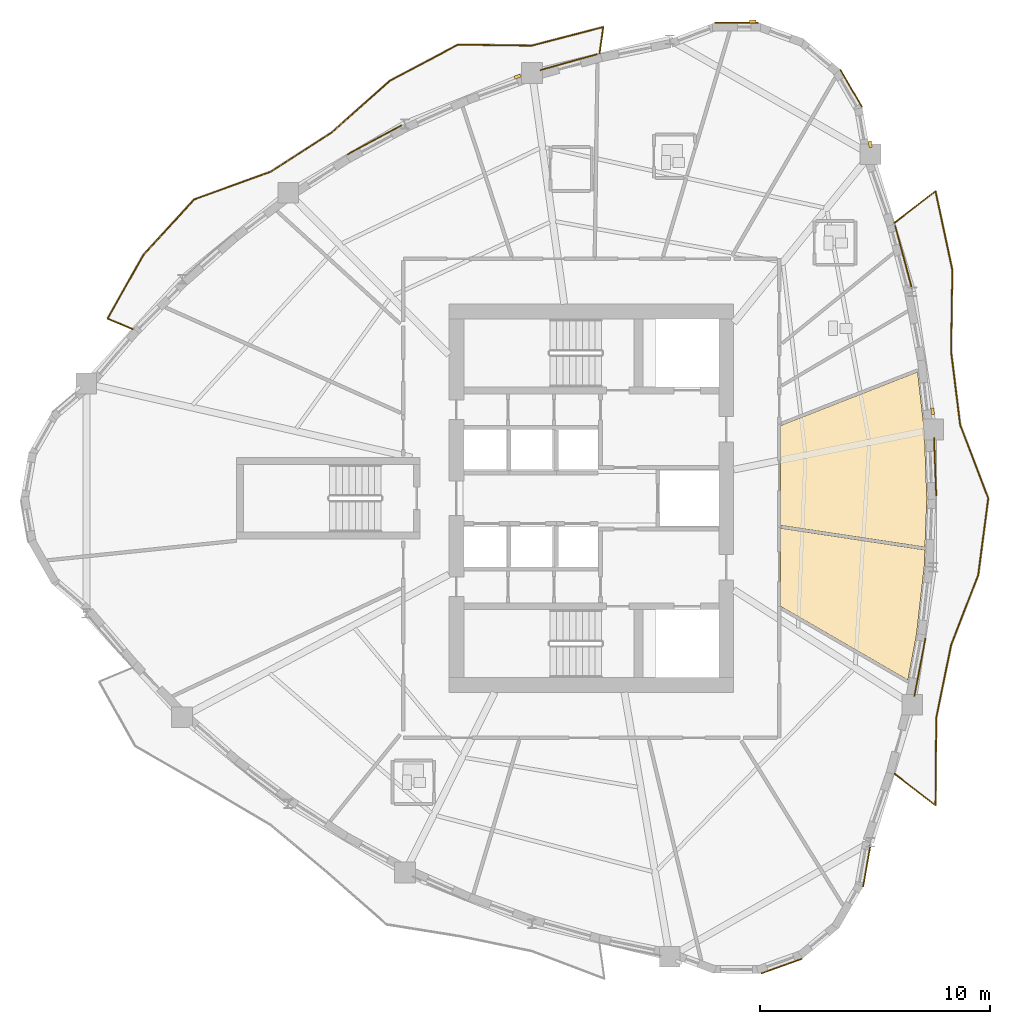
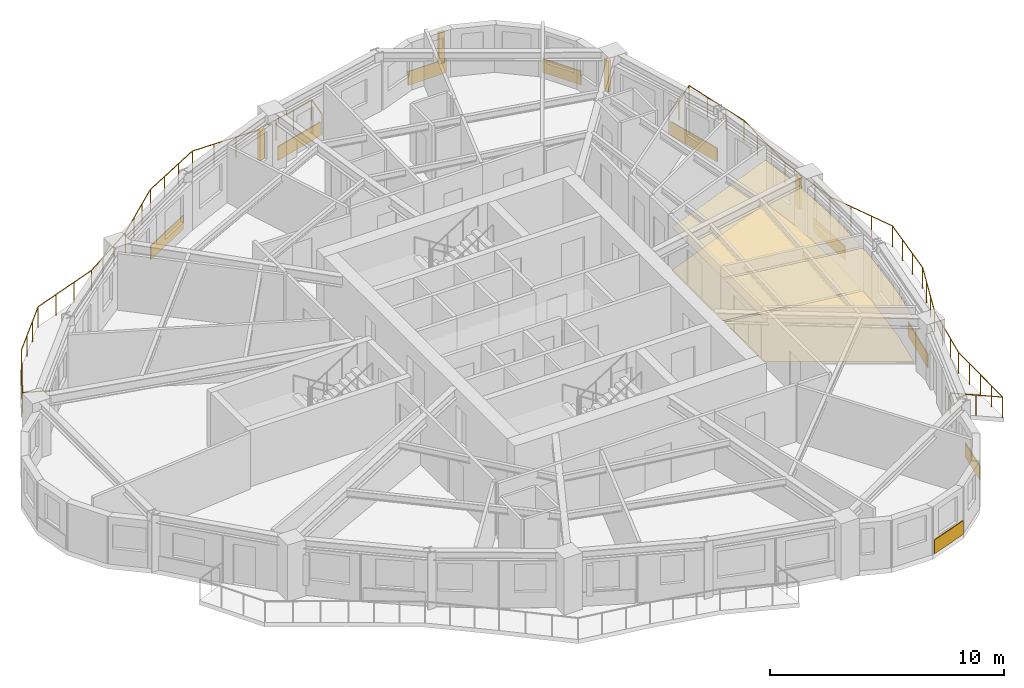
# One storey, part 11 of 12: 13 coverings, 4 shading devices, 2 railings.
"""IFC4 building model written with IfcOpenShell, lengths in metres."""

import ifcopenshell
import ifcopenshell.guid

model = None  # the IFC model being written
_history = None  # IfcOwnerHistory: only IFC2X3 demands one
_inside = {}  # id of a spatial element -> (the spatial element, [elements in it])
_under = {}  # id of a project, library or spatial element -> (it, [spatial elements below it])
_declared = {}  # id of a project -> (the project, [libraries it declares])
_typed = {}  # id of a type object -> (the type object, [elements of that type])
_made_of = {}  # id of a material, layer set ... -> (it, [elements and type objects made of it])


def new_model(schema):
    """Start an empty IFC model of exactly this schema.

    Asked for "IFC4X3", IfcOpenShell would pick the latest addendum, in which some entities
    have other attributes; the version numbers below select the first issue.
    IFC2X3 requires an IfcOwnerHistory on every rooted entity: one is made here for all.
    """
    global model, _history
    if schema == "IFC4X3":
        model = ifcopenshell.file(schema_version=(4, 3, 0, 0))
    else:
        model = ifcopenshell.file(schema=schema)
    _inside.clear()
    _under.clear()
    _declared.clear()
    _typed.clear()
    _made_of.clear()
    _history = None
    if model.schema == "IFC2X3":
        org = make("IfcOrganization", Name="unknown")
        user = make(
            "IfcPersonAndOrganization",
            ThePerson=make("IfcPerson", FamilyName="unknown"),
            TheOrganization=org,
        )
        app = make(
            "IfcApplication",
            ApplicationDeveloper=org,
            Version="unknown",
            ApplicationFullName="unknown",
            ApplicationIdentifier="unknown",
        )
        _history = make(
            "IfcOwnerHistory",
            OwningUser=user,
            OwningApplication=app,
            ChangeAction="ADDED",
            CreationDate=0,
        )
    return model


def make(cls, **values):
    """One entity of the class cls with the attributes given. An attribute that is None is left unset."""
    return model.create_entity(
        cls, **{name: value for name, value in values.items() if value is not None}
    )


def rooted(cls, **values):
    """An entity with a GlobalId (a new one), such as an element, a storey or a relation."""
    return make(cls, GlobalId=ifcopenshell.guid.new(), OwnerHistory=_history, **values)


def si_unit(unit_type, name, prefix=None):
    """IfcSIUnit, for example si_unit("LENGTHUNIT", "METRE", prefix="MILLI")."""
    return make("IfcSIUnit", UnitType=unit_type, Prefix=prefix, Name=name)


def assignment(units):
    """IfcUnitAssignment: the units of a project."""
    return None if units is None else make("IfcUnitAssignment", Units=units)


def point(xyz):
    """IfcCartesianPoint."""
    return None if xyz is None else make("IfcCartesianPoint", Coordinates=xyz)


def direction(xyz):
    """IfcDirection."""
    return None if xyz is None else make("IfcDirection", DirectionRatios=xyz)


def frame(location, z_axis=None, x_axis=None):
    """IfcAxis2Placement3D, a coordinate frame: its origin and axes. An axis left out is left unset."""
    return make(
        "IfcAxis2Placement3D",
        Location=point(location),
        Axis=direction(z_axis),
        RefDirection=direction(x_axis),
    )


def frame_2d(location, x_axis=None):
    """IfcAxis2Placement2D, a coordinate frame in the plane: its origin and x axis."""
    return make(
        "IfcAxis2Placement2D", Location=point(location), RefDirection=direction(x_axis)
    )


def origin():
    """The frame at (0, 0, 0) with its axes left unset."""
    return frame((0.0, 0.0, 0.0))


def origin_2d():
    """The frame at (0, 0) in the plane with its x axis left unset."""
    return frame_2d((0.0, 0.0))


def place(relative_to, where):
    """IfcLocalPlacement: puts the frame where relative to a parent placement (None: the world)."""
    return make(
        "IfcLocalPlacement", PlacementRelTo=relative_to, RelativePlacement=where
    )


def context(
    kind, dimensions, precision=None, world=None, true_north=None, identifier=None
):
    """IfcGeometricRepresentationContext, for example the 3D "Model" context."""
    return make(
        "IfcGeometricRepresentationContext",
        ContextIdentifier=identifier,
        ContextType=kind,
        CoordinateSpaceDimension=dimensions,
        Precision=precision,
        WorldCoordinateSystem=world,
        TrueNorth=true_north,
    )


def subcontext(parent, identifier, kind, view, scale=None):
    """IfcGeometricRepresentationSubContext, for example "Body" below "Model"."""
    return make(
        "IfcGeometricRepresentationSubContext",
        ContextIdentifier=identifier,
        ContextType=kind,
        ParentContext=parent,
        TargetScale=scale,
        TargetView=view,
    )


def project(units=None, contexts=None):
    """IfcProject with its units and contexts."""
    return rooted(
        "IfcProject",
        Name="project",
        RepresentationContexts=contexts,
        UnitsInContext=assignment(units),
    )


def spatial(cls, under=None, at=None, **own):
    """A site, building, storey or space (cls), placed at a placement, below another one or the project."""
    s = rooted(cls, ObjectPlacement=at, **own)
    if under is not None:
        _under.setdefault(under.id(), (under, []))[1].append(s)
    return s


def polyline(points):
    """IfcPolyline through the points."""
    return make("IfcPolyline", Points=[point(p) for p in points])


def profile(cls, at=None, kind="AREA", **sizes):
    """A parametric profile (cls). Its sizes go by their IFC names, for example OverallWidth=200.0."""
    return make(cls, ProfileType=kind, Position=at, **sizes)


def rectangle(**sizes):
    """IfcRectangleProfileDef."""
    return profile("IfcRectangleProfileDef", **sizes)


def circle(**sizes):
    """IfcCircleProfileDef."""
    return profile("IfcCircleProfileDef", **sizes)


def outline(outer, holes=None, kind="AREA"):
    """IfcArbitraryClosedProfileDef: a profile drawn as a closed curve; with holes, ...WithVoids."""
    if holes is None:
        return make("IfcArbitraryClosedProfileDef", ProfileType=kind, OuterCurve=outer)
    return make(
        "IfcArbitraryProfileDefWithVoids",
        ProfileType=kind,
        OuterCurve=outer,
        InnerCurves=holes,
    )


def extrude(swept, where, along, depth):
    """IfcExtrudedAreaSolid: the profile swept, set in the frame where, extruded along a direction by depth."""
    return make(
        "IfcExtrudedAreaSolid",
        SweptArea=swept,
        Position=where,
        ExtrudedDirection=direction(along),
        Depth=depth,
    )


def shape(context_of_items, identifier, shape_type, items):
    """IfcShapeRepresentation: the items that make up one representation, for example the "Body"."""
    return make(
        "IfcShapeRepresentation",
        ContextOfItems=context_of_items,
        RepresentationIdentifier=identifier,
        RepresentationType=shape_type,
        Items=items,
    )


def source(mapping_origin, context_of_items, identifier, shape_type, items):
    """IfcRepresentationMap: a shape defined once, which mapped items show again and again."""
    return make(
        "IfcRepresentationMap",
        MappingOrigin=mapping_origin,
        MappedRepresentation=shape(context_of_items, identifier, shape_type, items),
    )


def transform(
    local_origin,
    x_axis=None,
    y_axis=None,
    z_axis=None,
    scale=None,
    scale2=None,
    scale3=None,
    uniform=True,
):
    """IfcCartesianTransformationOperator3D, or its non-uniform kind. x_axis, y_axis, z_axis: its Axis1, 2, 3."""
    if uniform:
        return make(
            "IfcCartesianTransformationOperator3D",
            Axis1=direction(x_axis),
            Axis2=direction(y_axis),
            LocalOrigin=point(local_origin),
            Scale=scale,
            Axis3=direction(z_axis),
        )
    return make(
        "IfcCartesianTransformationOperator3DnonUniform",
        Axis1=direction(x_axis),
        Axis2=direction(y_axis),
        LocalOrigin=point(local_origin),
        Scale=scale,
        Axis3=direction(z_axis),
        Scale2=scale2,
        Scale3=scale3,
    )


def mapped(mapping_source, mapping_target):
    """IfcMappedItem: shows the shape of a source again, moved by a transform."""
    return make(
        "IfcMappedItem", MappingSource=mapping_source, MappingTarget=mapping_target
    )


def material(Name=None, Category=None):
    """IfcMaterial."""
    return make("IfcMaterial", Name=Name, Category=Category)


def layer(
    of_material, thickness, ventilated=None, Name=None, Category=None, Priority=None
):
    """IfcMaterialLayer: one layer of a wall or slab, of a material (None: an air gap)."""
    return make(
        "IfcMaterialLayer",
        Material=of_material,
        LayerThickness=thickness,
        IsVentilated=ventilated,
        Name=Name,
        Category=Category,
        Priority=Priority,
    )


def layer_set(layers, Name=None):
    """IfcMaterialLayerSet."""
    return make("IfcMaterialLayerSet", MaterialLayers=layers, LayerSetName=Name)


def made_of(thing, what):
    """Note that an element or type object is made of a material, layer set ...; save() writes the relation."""
    if what is not None:
        _made_of.setdefault(what.id(), (what, []))[1].append(thing)
    return thing


def type_object(cls, material=None, **own):
    """A type object (cls), such as IfcWallType, which elements share."""
    return made_of(rooted(cls, **own), material)


def element(
    cls,
    number,
    at=None,
    inside=None,
    cuts=None,
    type_object=None,
    material=None,
    context=None,
    identifier="Body",
    shape_type=None,
    held_by="IfcProductDefinitionShape",
    body=None,
    shapes=None,
    **own,
):
    """One element of the class cls, such as IfcWall. Its Tag is "e" and its number.

    at: its placement. inside: the storey or other place that contains it. cuts: it is an
    opening in that element (IfcRelVoidsElement). A single representation is given by context,
    identifier, shape_type and body (its items); several are given by shapes. held_by: the class
    of the entity that holds the representations. save() writes the other relations.
    """
    e = rooted(cls, Tag="e%d" % number, ObjectPlacement=at, **own)
    if body is not None:
        shapes = [shape(context, identifier, shape_type, body)]
    if shapes is not None:
        e.Representation = make(held_by, Representations=shapes)
    if inside is not None:
        _inside.setdefault(inside.id(), (inside, []))[1].append(e)
    if cuts is not None:
        rooted(
            "IfcRelVoidsElement", RelatingBuildingElement=cuts, RelatedOpeningElement=e
        )
    if type_object is not None:
        _typed.setdefault(type_object.id(), (type_object, []))[1].append(e)
    return made_of(e, material)


def aggregate(whole, parts):
    """IfcRelAggregates: a whole, such as a stair, and the parts it consists of."""
    return rooted("IfcRelAggregates", RelatingObject=whole, RelatedObjects=parts)


def save(model, path):
    """Write the relations noted so far, then the file.

    IfcRelAggregates (storeys below a building ...), IfcRelContainedInSpatialStructure (elements
    in a storey), IfcRelDefinesByType, IfcRelAssociatesMaterial and IfcRelDeclares: one each for
    every whole, place, type object, material and project.
    """
    for whole, parts in _under.values():
        aggregate(whole, parts)
    for where, things in _inside.values():
        rooted(
            "IfcRelContainedInSpatialStructure",
            RelatedElements=things,
            RelatingStructure=where,
        )
    for kind, things in _typed.values():
        rooted("IfcRelDefinesByType", RelatedObjects=things, RelatingType=kind)
    for what, things in _made_of.values():
        rooted("IfcRelAssociatesMaterial", RelatedObjects=things, RelatingMaterial=what)
    for by, libraries in _declared.values():
        rooted("IfcRelDeclares", RelatingContext=by, RelatedDefinitions=libraries)
    model.write(path)


model = new_model("IFC4")

# Units and contexts
model_context = context("Model", 3, precision=1e-05, world=origin(), true_north=direction((0.0, 1.0)))
body_context = subcontext(model_context, "Body", "Model", "MODEL_VIEW")
ifc_project = project(units=[si_unit("LENGTHUNIT", "METRE"), si_unit("AREAUNIT", "SQUARE_METRE"), si_unit("VOLUMEUNIT", "CUBIC_METRE"), si_unit("PLANEANGLEUNIT", "RADIAN"), si_unit("MASSUNIT", "GRAM", prefix="KILO")], contexts=[model_context])

# Site, building, storey
site_placement = place(None, origin())
site = spatial("IfcSite", under=ifc_project, at=site_placement, CompositionType="ELEMENT")
building_placement = place(site_placement, origin())
building = spatial("IfcBuilding", under=site, at=building_placement, Name="Qafzar Sky-Pleat Residences", CompositionType="ELEMENT")
storey_placement = place(building_placement, frame((0.0, 0.0, 92.800048828125)))
storey = spatial("IfcBuildingStorey", under=building, at=storey_placement, Name="L27", CompositionType="ELEMENT", Elevation=92.800048828125)

# Coverings
ifc_material_1 = material(Name="Perforated acoustic gypsum board ceiling")
ifc_layer_1 = layer(ifc_material_1, 0.02001953125)
ifc_layer_set_1 = layer_set([ifc_layer_1], Name="Perforated acoustic gypsum board ceiling")
covering_type_1 = type_object("IfcCoveringType", Name="COV-CEIL-ACOUSTIC", PredefinedType="CEILING", material=ifc_layer_set_1)
covering_1_placement = place(storey_placement, frame((0.0, 0.0, 2.239990234375)))
element("IfcCovering", 1, at=covering_1_placement, inside=storey, type_object=covering_type_1, Name="L27 Communal Kitchen Acoustic Ceiling", PredefinedType="CEILING", context=body_context, shape_type="SweptSolid", body=[
    extrude(outline(polyline([(44.846435546875, 23.035400390625), (44.508544921875, 20.070068359375), (44.132080078125, 18.089111328125), (38.590087890625, 21.298095703125), (38.590087890625, 24.6982421875), (44.873779296875, 23.751708984375), (44.846435546875, 23.035400390625)])), origin(), (0.0, 0.0, 1.0), 0.02001953125),
])
covering_2_placement = place(storey_placement, frame((0.0, 0.0, 2.239990234375)))
element("IfcCovering", 2, at=covering_2_placement, inside=storey, type_object=covering_type_1, Name="L27 Co-Living Lounge Acoustic Ceiling", PredefinedType="CEILING", context=body_context, shape_type="SweptSolid", body=[
    extrude(outline(polyline([(44.846435546875, 28.964599609375), (44.959228515625, 26.0), (44.87841796875, 23.872314453125), (38.590087890625, 24.819580078125), (38.590087890625, 29.162841796875), (44.5576171875, 31.5), (44.846435546875, 28.964599609375)])), origin(), (0.0, 0.0, 1.0), 0.02001953125),
])
ifc_material_2 = material(Name="Honed porcelain and Riyadh stone tile flooring", Category="masonry")
ifc_layer_2 = layer(ifc_material_2, 0.02001953125)
ifc_layer_set_2 = layer_set([ifc_layer_2], Name="Honed porcelain and Riyadh stone tile flooring")
covering_type_2 = type_object("IfcCoveringType", Name="COV-FLR-PORCELAIN", PredefinedType="FLOORING", material=ifc_layer_set_2)
covering_3_placement = place(storey_placement, origin())
element("IfcCovering", 3, at=covering_3_placement, inside=storey, type_object=covering_type_2, Name="L27 Communal Kitchen Honed Stone Flooring", PredefinedType="FLOORING", context=body_context, shape_type="SweptSolid", body=[
    extrude(outline(polyline([(44.846435546875, 23.035400390625), (44.508544921875, 20.070068359375), (44.132080078125, 18.089111328125), (38.590087890625, 21.298095703125), (38.590087890625, 24.6982421875), (44.873779296875, 23.751708984375), (44.846435546875, 23.035400390625)])), origin(), (0.0, 0.0, 1.0), 0.02001953125),
])
covering_4_placement = place(storey_placement, origin())
element("IfcCovering", 4, at=covering_4_placement, inside=storey, type_object=covering_type_2, Name="L27 Co-Living Lounge Honed Stone Flooring", PredefinedType="FLOORING", context=body_context, shape_type="SweptSolid", body=[
    extrude(outline(polyline([(44.846435546875, 28.964599609375), (44.959228515625, 26.0), (44.87841796875, 23.872314453125), (38.590087890625, 24.819580078125), (38.590087890625, 29.162841796875), (44.5576171875, 31.5), (44.846435546875, 28.964599609375)])), origin(), (0.0, 0.0, 1.0), 0.02001953125),
])

# Shading devices
ifc_material_3 = material(Name="Honed Riyadh limestone solar fin", Category="masonry")
ifc_layer_3 = layer(ifc_material_3, 0.139892578125)
ifc_layer_set_3 = layer_set([ifc_layer_3], Name="Honed Riyadh limestone solar fin")
shading_device_type = type_object("IfcShadingDeviceType", Name="SHD-FIN-STONE", PredefinedType="SHUTTER", material=ifc_layer_set_3)
shared_shape_1 = source(origin(), body_context, "Body", "SweptSolid", [
    extrude(rectangle(XDim=0.139892578125, YDim=0.280029296875, at=origin_2d()), origin(), (0.0, 0.0, 1.0), 1.60009765625),
])
for number, where, z_axis, x_axis, name in (
    (5, (45.21044921875, 29.78857421875, 0.599853515625), (0.0, 0.0, 1.0), (0.993566532225, 0.113249927341, 0.0), "L27 Limestone Solar Fin 29"),
    (6, (42.4931640625, 41.4111328125, 0.599853515625), (0.0, 0.0, 1.0), (0.984675881773, 0.174394403163, 0.0), "L27 Limestone Solar Fin 33"),
    (7, (37.37939453125, 46.751953125, 0.599853515625), (0.0, 0.0, 1.0), (-0.006821730637, 0.999976731725, 0.0), "L27 Limestone Solar Fin 37"),
    (8, (27.13720703125, 44.35888671875, 0.599853515625), (0.0, 0.0, 1.0), (-0.338157682767, 0.94108946524, 0.0), "L27 Limestone Solar Fin 41"),
):
    element("IfcShadingDevice", number, at=place(storey_placement, frame(where, z_axis=z_axis, x_axis=x_axis)), inside=storey, type_object=shading_device_type, Name=name, PredefinedType="SHUTTER", context=body_context, shape_type="MappedRepresentation", body=[
        mapped(shared_shape_1, transform((0.0, 0.0, 0.0), x_axis=(1.0, 0.0, 0.0), y_axis=(0.0, 1.0, 0.0), z_axis=(0.0, 0.0, 1.0), scale=1.0)),
    ])

# Coverings
ifc_material_4 = material(Name="Honed Riyadh Tuwaiq limestone cladding", Category="masonry")
ifc_layer_4 = layer(ifc_material_4, 0.044921875)
ifc_layer_set_4 = layer_set([ifc_layer_4], Name="Honed Riyadh Tuwaiq limestone cladding")
covering_type_3 = type_object("IfcCoveringType", Name="COV-CLAD-STONE", PredefinedType="CLADDING", material=ifc_layer_set_4)
shared_shape_2 = source(origin(), body_context, "Body", "SweptSolid", [
    extrude(rectangle(XDim=1.88916015625, YDim=0.044921875, at=origin_2d()), origin(), (0.0, 0.0, 1.0), 0.719970703125),
])
for number, where, z_axis, x_axis, name in (
    (9, (38.63720703125, 5.631103515625, 0.02001953125), (0.0, 0.0, 1.0), (0.941482948476, 0.337060614325, 0.0), "L27 Riyadh Limestone Spandrel Cladding 19"),
    (10, (41.66357421875, 43.84912109375, 0.02001953125), (0.0, 0.0, 1.0), (-0.501956209509, 0.864893036008, 0.0), "L27 Riyadh Limestone Spandrel Cladding 34"),
    (11, (36.666015625, 46.7041015625, 0.02001953125), (0.0, 0.0, 1.0), (-0.999976465978, -0.006860575119, 0.0), "L27 Riyadh Limestone Spandrel Cladding 37"),
):
    element("IfcCovering", number, at=place(storey_placement, frame(where, z_axis=z_axis, x_axis=x_axis)), inside=storey, type_object=covering_type_3, Name=name, PredefinedType="CLADDING", context=body_context, shape_type="MappedRepresentation", body=[
        mapped(shared_shape_2, transform((0.0, 0.0, 0.0), x_axis=(1.0, 0.0, 0.0), y_axis=(0.0, 1.0, 0.0), z_axis=(0.0, 0.0, 1.0), scale=1.0)),
    ])
shared_shape_3 = source(origin(), body_context, "Body", "SweptSolid", [
    extrude(rectangle(XDim=1.8369140625, YDim=0.044921875, at=origin_2d()), origin(), (0.0, 0.0, 1.0), 0.719970703125),
])
covering_5_placement = place(storey_placement, frame((42.34521484375, 10.00048828125, 0.02001953125), z_axis=(0.0, 0.0, 1.0), x_axis=(0.174369449256, 0.984680300994, 0.0)))
element("IfcCovering", 12, at=covering_5_placement, inside=storey, type_object=covering_type_3, Name="L27 Riyadh Limestone Spandrel Cladding 22", PredefinedType="CLADDING", context=body_context, shape_type="MappedRepresentation", body=[
    mapped(shared_shape_3, transform((0.0, 0.0, 0.0), x_axis=(1.0, 0.0, 0.0), y_axis=(0.0, 1.0, 0.0), z_axis=(0.0, 0.0, 1.0), scale=1.0)),
])

# Railing
ifc_material_5 = material(Name="Laminated glass and bronze steel balustrade", Category="steel")
railing_type = type_object("IfcRailingType", Name="RAIL-BAL-1100", PredefinedType="BALUSTRADE", material=ifc_material_5)
shared_shape_4 = source(origin(), body_context, "Body", "SweptSolid", [
    extrude(circle(Radius=0.02392578125, at=origin_2d()), frame((0.0, 0.0, 1.076171875), z_axis=(0.791811965712, -0.6107649392, 0.0), x_axis=(0.6107649392, 0.791811965712, 0.0)), (0.0, 0.0, 1.0), 2.270751953125),
    extrude(circle(Radius=0.02392578125, at=origin_2d()), frame((1.798095703125, -1.386962890625, 1.076171875), z_axis=(0.008255718644, 0.999965920974, 0.0), x_axis=(-0.999965920974, 0.008255718644, 0.0)), (0.0, 0.0, 1.0), 3.81494140625),
    extrude(circle(Radius=0.02392578125, at=origin_2d()), frame((1.82958984375, 2.427734375, 1.076171875), z_axis=(0.200234941814, 0.979747910473, 0.0), x_axis=(-0.979747910473, 0.200234941814, 0.0)), (0.0, 0.0, 1.0), 3.23583984375),
    extrude(circle(Radius=0.02392578125, at=origin_2d()), frame((2.4775390625, 5.59814453125, 1.076171875), z_axis=(0.360738674661, 0.932666933371, 0.0), x_axis=(-0.932666933371, 0.360738674661, 0.0)), (0.0, 0.0, 1.0), 3.271484375),
    extrude(circle(Radius=0.02392578125, at=origin_2d()), frame((3.65771484375, 8.6494140625, 1.076171875), z_axis=(0.129652626541, 0.991559477001, 0.0), x_axis=(-0.991559477001, 0.129652626541, 0.0)), (0.0, 0.0, 1.0), 3.363037109375),
    extrude(circle(Radius=0.02392578125, at=origin_2d()), frame((4.09375, 11.984130859375, 1.076171875), z_axis=(-0.357507023582, 0.933910449716, 0.0), x_axis=(-0.933910449716, -0.357507023582, 0.0)), (0.0, 0.0, 1.0), 3.424072265625),
    extrude(circle(Radius=0.02392578125, at=origin_2d()), frame((2.86962890625, 15.181884765625, 1.076171875), z_axis=(-0.122060750856, 0.992522631027, 0.0), x_axis=(-0.992522631027, -0.122060750856, 0.0)), (0.0, 0.0, 1.0), 3.212158203125),
    extrude(circle(Radius=0.02392578125, at=origin_2d()), frame((2.4775390625, 18.3701171875, 1.076171875), z_axis=(0.014897076555, 0.999889032398, 0.0), x_axis=(-0.999889032398, 0.014897076555, 0.0)), (0.0, 0.0, 1.0), 3.556396484375),
    extrude(circle(Radius=0.02392578125, at=origin_2d()), frame((2.530517578125, 21.926025390625, 1.076171875), z_axis=(-0.208872875057, 0.977942801019, 0.0), x_axis=(-0.977942801019, -0.208872875057, 0.0)), (0.0, 0.0, 1.0), 3.506591796875),
    extrude(circle(Radius=0.02392578125, at=origin_2d()), frame((1.798095703125, 25.355224609375, 1.076171875), z_axis=(-0.791811965712, -0.6107649392, 0.0), x_axis=(0.6107649392, -0.791811965712, 0.0)), (0.0, 0.0, 1.0), 2.270751953125),
    extrude(circle(Radius=0.02099609375, at=origin_2d()), origin(), (0.0, 0.0, 1.0), 1.052001953125),
    extrude(circle(Radius=0.02099609375, at=origin_2d()), frame((0.89892578125, -0.693359375, 0.0)), (0.0, 0.0, 1.0), 1.052001953125),
    extrude(circle(Radius=0.02099609375, at=origin_2d()), frame((1.798095703125, -1.386962890625, 0.0)), (0.0, 0.0, 1.0), 1.052001953125),
    extrude(circle(Radius=0.02099609375, at=origin_2d()), frame((1.805908203125, -0.433349609375, 0.0)), (0.0, 0.0, 1.0), 1.052001953125),
    extrude(circle(Radius=0.02099609375, at=origin_2d()), frame((1.81396484375, 0.5205078125, 0.0)), (0.0, 0.0, 1.0), 1.052001953125),
    extrude(circle(Radius=0.02099609375, at=origin_2d()), frame((1.82177734375, 1.47412109375, 0.0)), (0.0, 0.0, 1.0), 1.052001953125),
    extrude(circle(Radius=0.02099609375, at=origin_2d()), frame((1.82958984375, 2.427734375, 0.0)), (0.0, 0.0, 1.0), 1.052001953125),
    extrude(circle(Radius=0.02099609375, at=origin_2d()), frame((2.045654296875, 3.484619140625, 0.0)), (0.0, 0.0, 1.0), 1.052001953125),
    extrude(circle(Radius=0.02099609375, at=origin_2d()), frame((2.261474609375, 4.541259765625, 0.0)), (0.0, 0.0, 1.0), 1.052001953125),
    extrude(circle(Radius=0.02099609375, at=origin_2d()), frame((2.4775390625, 5.59814453125, 0.0)), (0.0, 0.0, 1.0), 1.052001953125),
    extrude(circle(Radius=0.02099609375, at=origin_2d()), frame((2.870849609375, 6.615234375, 0.0)), (0.0, 0.0, 1.0), 1.052001953125),
    extrude(circle(Radius=0.02099609375, at=origin_2d()), frame((3.264404296875, 7.63232421875, 0.0)), (0.0, 0.0, 1.0), 1.052001953125),
    extrude(circle(Radius=0.02099609375, at=origin_2d()), frame((3.65771484375, 8.6494140625, 0.0)), (0.0, 0.0, 1.0), 1.052001953125),
    extrude(circle(Radius=0.02099609375, at=origin_2d()), frame((3.802978515625, 9.760986328125, 0.0)), (0.0, 0.0, 1.0), 1.052001953125),
    extrude(circle(Radius=0.02099609375, at=origin_2d()), frame((3.948486328125, 10.87255859375, 0.0)), (0.0, 0.0, 1.0), 1.052001953125),
    extrude(circle(Radius=0.02099609375, at=origin_2d()), frame((4.09375, 11.984130859375, 0.0)), (0.0, 0.0, 1.0), 1.052001953125),
    extrude(circle(Radius=0.02099609375, at=origin_2d()), frame((3.685791015625, 13.050048828125, 0.0)), (0.0, 0.0, 1.0), 1.052001953125),
    extrude(circle(Radius=0.02099609375, at=origin_2d()), frame((3.277587890625, 14.115966796875, 0.0)), (0.0, 0.0, 1.0), 1.052001953125),
    extrude(circle(Radius=0.02099609375, at=origin_2d()), frame((2.86962890625, 15.181884765625, 0.0)), (0.0, 0.0, 1.0), 1.052001953125),
    extrude(circle(Radius=0.02099609375, at=origin_2d()), frame((2.739013671875, 16.24462890625, 0.0)), (0.0, 0.0, 1.0), 1.052001953125),
    extrude(circle(Radius=0.02099609375, at=origin_2d()), frame((2.608154296875, 17.307373046875, 0.0)), (0.0, 0.0, 1.0), 1.052001953125),
    extrude(circle(Radius=0.02099609375, at=origin_2d()), frame((2.4775390625, 18.3701171875, 0.0)), (0.0, 0.0, 1.0), 1.052001953125),
    extrude(circle(Radius=0.02099609375, at=origin_2d()), frame((2.4951171875, 19.555419921875, 0.0)), (0.0, 0.0, 1.0), 1.052001953125),
    extrude(circle(Radius=0.02099609375, at=origin_2d()), frame((2.512939453125, 20.74072265625, 0.0)), (0.0, 0.0, 1.0), 1.052001953125),
    extrude(circle(Radius=0.02099609375, at=origin_2d()), frame((2.530517578125, 21.926025390625, 0.0)), (0.0, 0.0, 1.0), 1.052001953125),
    extrude(circle(Radius=0.02099609375, at=origin_2d()), frame((2.286376953125, 23.069091796875, 0.0)), (0.0, 0.0, 1.0), 1.052001953125),
    extrude(circle(Radius=0.02099609375, at=origin_2d()), frame((2.042236328125, 24.212158203125, 0.0)), (0.0, 0.0, 1.0), 1.052001953125),
    extrude(circle(Radius=0.02099609375, at=origin_2d()), frame((1.798095703125, 25.355224609375, 0.0)), (0.0, 0.0, 1.0), 1.052001953125),
    extrude(circle(Radius=0.02099609375, at=origin_2d()), frame((0.89892578125, 24.66162109375, 0.0)), (0.0, 0.0, 1.0), 1.052001953125),
    extrude(circle(Radius=0.02099609375, at=origin_2d()), frame((0.0, 23.96826171875, 0.0)), (0.0, 0.0, 1.0), 1.052001953125),
])
railing_1_placement = place(storey_placement, frame((43.53857421875, 14.015869140625, 0.0)))
element("IfcRailing", 13, at=railing_1_placement, inside=storey, type_object=railing_type, Name="L27 Pleated Balcony 1 Balustrade", PredefinedType="BALUSTRADE", context=body_context, shape_type="MappedRepresentation", body=[
    mapped(shared_shape_4, transform((0.0, 0.0, 0.0), x_axis=(1.0, 0.0, 0.0), y_axis=(0.0, 1.0, 0.0), z_axis=(0.0, 0.0, 1.0), scale=1.0)),
])

# Coverings
shared_shape_5 = source(origin(), body_context, "Body", "SweptSolid", [
    extrude(rectangle(XDim=2.5703125, YDim=0.044921875, at=origin_2d()), origin(), (0.0, 0.0, 1.0), 0.719970703125),
])
covering_6_placement = place(storey_placement, frame((44.656494140625, 18.64208984375, 0.02001953125), z_axis=(0.0, 0.0, 1.0), x_axis=(0.186672812525, 0.98242213995, 0.0)))
element("IfcCovering", 14, at=covering_6_placement, inside=storey, type_object=covering_type_3, Name="L27 Riyadh Limestone Spandrel Cladding 25", PredefinedType="CLADDING", context=body_context, shape_type="MappedRepresentation", body=[
    mapped(shared_shape_5, transform((0.0, 0.0, 0.0), x_axis=(1.0, 0.0, 0.0), y_axis=(0.0, 1.0, 0.0), z_axis=(0.0, 0.0, 1.0), scale=1.0)),
])
shared_shape_6 = source(origin(), body_context, "Body", "SweptSolid", [
    extrude(rectangle(XDim=2.52392578125, YDim=0.044921875, at=origin_2d()), origin(), (0.0, 0.0, 1.0), 0.719970703125),
])
covering_7_placement = place(storey_placement, frame((45.319580078125, 27.364013671875, 0.02001953125), z_axis=(0.0, 0.0, 1.0), x_axis=(-0.037977080254, 0.999278610486, 0.0)))
element("IfcCovering", 15, at=covering_7_placement, inside=storey, type_object=covering_type_3, Name="L27 Riyadh Limestone Spandrel Cladding 28", PredefinedType="CLADDING", context=body_context, shape_type="MappedRepresentation", body=[
    mapped(shared_shape_6, transform((0.0, 0.0, 0.0), x_axis=(1.0, 0.0, 0.0), y_axis=(0.0, 1.0, 0.0), z_axis=(0.0, 0.0, 1.0), scale=1.0)),
])
shared_shape_7 = source(origin(), body_context, "Body", "SweptSolid", [
    extrude(rectangle(XDim=2.8046875, YDim=0.044921875, at=origin_2d()), origin(), (0.0, 0.0, 1.0), 0.719970703125),
])
covering_8_placement = place(storey_placement, frame((43.94091796875, 36.513427734375, 0.02001953125), z_axis=(0.0, 0.0, 1.0), x_axis=(-0.257095393511, 0.966386029822, 0.0)))
element("IfcCovering", 16, at=covering_8_placement, inside=storey, type_object=covering_type_3, Name="L27 Riyadh Limestone Spandrel Cladding 31", PredefinedType="CLADDING", context=body_context, shape_type="MappedRepresentation", body=[
    mapped(shared_shape_7, transform((0.0, 0.0, 0.0), x_axis=(1.0, 0.0, 0.0), y_axis=(0.0, 1.0, 0.0), z_axis=(0.0, 0.0, 1.0), scale=1.0)),
])
shared_shape_8 = source(origin(), body_context, "Body", "SweptSolid", [
    extrude(rectangle(XDim=2.572509765625, YDim=0.044921875, at=origin_2d()), origin(), (0.0, 0.0, 1.0), 0.719970703125),
])
covering_9_placement = place(storey_placement, frame((29.3623046875, 44.9853515625, 0.02001953125), z_axis=(0.0, 0.0, 1.0), x_axis=(-0.963044274511, -0.269343136781, 0.0)))
element("IfcCovering", 17, at=covering_9_placement, inside=storey, type_object=covering_type_3, Name="L27 Riyadh Limestone Spandrel Cladding 40", PredefinedType="CLADDING", context=body_context, shape_type="MappedRepresentation", body=[
    mapped(shared_shape_8, transform((0.0, 0.0, 0.0), x_axis=(1.0, 0.0, 0.0), y_axis=(0.0, 1.0, 0.0), z_axis=(0.0, 0.0, 1.0), scale=1.0)),
])
shared_shape_9 = source(origin(), body_context, "Body", "SweptSolid", [
    extrude(rectangle(XDim=2.67138671875, YDim=0.044921875, at=origin_2d()), origin(), (0.0, 0.0, 1.0), 0.719970703125),
])
covering_10_placement = place(storey_placement, frame((20.902099609375, 41.600341796875, 0.02001953125), z_axis=(0.0, 0.0, 1.0), x_axis=(-0.88010083867, -0.474786808759, 0.0)))
element("IfcCovering", 18, at=covering_10_placement, inside=storey, type_object=covering_type_3, Name="L27 Riyadh Limestone Spandrel Cladding 43", PredefinedType="CLADDING", context=body_context, shape_type="MappedRepresentation", body=[
    mapped(shared_shape_9, transform((0.0, 0.0, 0.0), x_axis=(1.0, 0.0, 0.0), y_axis=(0.0, 1.0, 0.0), z_axis=(0.0, 0.0, 1.0), scale=1.0)),
])

# Railing
shared_shape_10 = source(origin(), body_context, "Body", "SweptSolid", [
    extrude(circle(Radius=0.02392578125, at=origin_2d()), frame((0.0, 0.0, 1.076171875), z_axis=(0.13866410742, 0.990339469734, 0.0), x_axis=(-0.990339469734, 0.13866410742, 0.0)), (0.0, 0.0, 1.0), 1.177978515625),
    extrude(circle(Radius=0.02392578125, at=origin_2d()), frame((0.163330078125, 1.16650390625, 1.076171875), z_axis=(-0.967858308396, -0.251496113028, 0.0), x_axis=(0.251496113028, -0.967858308396, 0.0)), (0.0, 0.0, 1.0), 3.220947265625),
    extrude(circle(Radius=0.02392578125, at=origin_2d()), frame((-2.9541015625, 0.3564453125, 1.076171875), z_axis=(-0.999904765402, 0.013800729185, 0.0), x_axis=(-0.013800729185, -0.999904765402, 0.0)), (0.0, 0.0, 1.0), 3.201904296875),
    extrude(circle(Radius=0.02392578125, at=origin_2d()), frame((-6.15576171875, 0.400634765625, 1.076171875), z_axis=(-0.883537869086, -0.468359727016, 0.0), x_axis=(0.468359727016, -0.883537869086, 0.0)), (0.0, 0.0, 1.0), 3.374267578125),
    extrude(circle(Radius=0.02392578125, at=origin_2d()), frame((-9.136962890625, -1.1796875, 1.076171875), z_axis=(-0.746917099165, -0.664917173019, 0.0), x_axis=(0.664917173019, -0.746917099165, 0.0)), (0.0, 0.0, 1.0), 3.367431640625),
    extrude(circle(Radius=0.02392578125, at=origin_2d()), frame((-11.652099609375, -3.418701171875, 1.076171875), z_axis=(-0.84059217524, -0.541668528646, 0.0), x_axis=(0.541668528646, -0.84059217524, 0.0)), (0.0, 0.0, 1.0), 3.155029296875),
    extrude(circle(Radius=0.02392578125, at=origin_2d()), frame((-14.30419921875, -5.127685546875, 1.076171875), z_axis=(-0.940226370798, -0.340550101535, 0.0), x_axis=(0.340550101535, -0.940226370798, 0.0)), (0.0, 0.0, 1.0), 3.550048828125),
    extrude(circle(Radius=0.02392578125, at=origin_2d()), frame((-17.64208984375, -6.336669921875, 1.076171875), z_axis=(-0.675010892042, -0.737807763326, 0.0), x_axis=(0.737807763326, -0.675010892042, 0.0)), (0.0, 0.0, 1.0), 3.30078125),
    extrude(circle(Radius=0.02392578125, at=origin_2d()), frame((-19.8701171875, -8.77197265625, 1.076171875), z_axis=(-0.488793847429, -0.872399320676, 0.0), x_axis=(0.872399320676, -0.488793847429, 0.0)), (0.0, 0.0, 1.0), 3.1611328125),
    extrude(circle(Radius=0.02392578125, at=origin_2d()), frame((-21.415283203125, -11.52978515625, 1.076171875), z_axis=(0.922634855907, -0.385674633163, 0.0), x_axis=(0.385674633163, 0.922634855907, 0.0)), (0.0, 0.0, 1.0), 1.177978515625),
    extrude(circle(Radius=0.02099609375, at=origin_2d()), origin(), (0.0, 0.0, 1.0), 1.052001953125),
    extrude(circle(Radius=0.02099609375, at=origin_2d()), frame((0.163330078125, 1.16650390625, 0.0)), (0.0, 0.0, 1.0), 1.052001953125),
    extrude(circle(Radius=0.02099609375, at=origin_2d()), frame((-0.875732421875, 0.896484375, 0.0)), (0.0, 0.0, 1.0), 1.052001953125),
    extrude(circle(Radius=0.02099609375, at=origin_2d()), frame((-1.9150390625, 0.62646484375, 0.0)), (0.0, 0.0, 1.0), 1.052001953125),
    extrude(circle(Radius=0.02099609375, at=origin_2d()), frame((-2.9541015625, 0.3564453125, 0.0)), (0.0, 0.0, 1.0), 1.052001953125),
    extrude(circle(Radius=0.02099609375, at=origin_2d()), frame((-4.021240234375, 0.37109375, 0.0)), (0.0, 0.0, 1.0), 1.052001953125),
    extrude(circle(Radius=0.02099609375, at=origin_2d()), frame((-5.088623046875, 0.385986328125, 0.0)), (0.0, 0.0, 1.0), 1.052001953125),
    extrude(circle(Radius=0.02099609375, at=origin_2d()), frame((-6.15576171875, 0.400634765625, 0.0)), (0.0, 0.0, 1.0), 1.052001953125),
    extrude(circle(Radius=0.02099609375, at=origin_2d()), frame((-7.1494140625, -0.126220703125, 0.0)), (0.0, 0.0, 1.0), 1.052001953125),
    extrude(circle(Radius=0.02099609375, at=origin_2d()), frame((-8.143310546875, -0.65283203125, 0.0)), (0.0, 0.0, 1.0), 1.052001953125),
    extrude(circle(Radius=0.02099609375, at=origin_2d()), frame((-9.136962890625, -1.1796875, 0.0)), (0.0, 0.0, 1.0), 1.052001953125),
    extrude(circle(Radius=0.02099609375, at=origin_2d()), frame((-9.975341796875, -1.926025390625, 0.0)), (0.0, 0.0, 1.0), 1.052001953125),
    extrude(circle(Radius=0.02099609375, at=origin_2d()), frame((-10.813720703125, -2.67236328125, 0.0)), (0.0, 0.0, 1.0), 1.052001953125),
    extrude(circle(Radius=0.02099609375, at=origin_2d()), frame((-11.652099609375, -3.418701171875, 0.0)), (0.0, 0.0, 1.0), 1.052001953125),
    extrude(circle(Radius=0.02099609375, at=origin_2d()), frame((-12.5361328125, -3.98828125, 0.0)), (0.0, 0.0, 1.0), 1.052001953125),
    extrude(circle(Radius=0.02099609375, at=origin_2d()), frame((-13.420166015625, -4.55810546875, 0.0)), (0.0, 0.0, 1.0), 1.052001953125),
    extrude(circle(Radius=0.02099609375, at=origin_2d()), frame((-14.30419921875, -5.127685546875, 0.0)), (0.0, 0.0, 1.0), 1.052001953125),
    extrude(circle(Radius=0.02099609375, at=origin_2d()), frame((-15.416748046875, -5.53076171875, 0.0)), (0.0, 0.0, 1.0), 1.052001953125),
    extrude(circle(Radius=0.02099609375, at=origin_2d()), frame((-16.529541015625, -5.93359375, 0.0)), (0.0, 0.0, 1.0), 1.052001953125),
    extrude(circle(Radius=0.02099609375, at=origin_2d()), frame((-17.64208984375, -6.336669921875, 0.0)), (0.0, 0.0, 1.0), 1.052001953125),
    extrude(circle(Radius=0.02099609375, at=origin_2d()), frame((-18.384765625, -7.1484375, 0.0)), (0.0, 0.0, 1.0), 1.052001953125),
    extrude(circle(Radius=0.02099609375, at=origin_2d()), frame((-19.12744140625, -7.960205078125, 0.0)), (0.0, 0.0, 1.0), 1.052001953125),
    extrude(circle(Radius=0.02099609375, at=origin_2d()), frame((-19.8701171875, -8.77197265625, 0.0)), (0.0, 0.0, 1.0), 1.052001953125),
    extrude(circle(Radius=0.02099609375, at=origin_2d()), frame((-20.38525390625, -9.691162109375, 0.0)), (0.0, 0.0, 1.0), 1.052001953125),
    extrude(circle(Radius=0.02099609375, at=origin_2d()), frame((-20.900146484375, -10.610595703125, 0.0)), (0.0, 0.0, 1.0), 1.052001953125),
    extrude(circle(Radius=0.02099609375, at=origin_2d()), frame((-21.415283203125, -11.52978515625, 0.0)), (0.0, 0.0, 1.0), 1.052001953125),
    extrude(circle(Radius=0.02099609375, at=origin_2d()), frame((-20.328369140625, -11.984130859375, 0.0)), (0.0, 0.0, 1.0), 1.052001953125),
])
railing_2_placement = place(storey_placement, frame((30.709716796875, 45.350830078125, 0.0)))
element("IfcRailing", 19, at=railing_2_placement, inside=storey, type_object=railing_type, Name="L27 Pleated Balcony 2 Balustrade", PredefinedType="BALUSTRADE", context=body_context, shape_type="MappedRepresentation", body=[
    mapped(shared_shape_10, transform((0.0, 0.0, 0.0), x_axis=(1.0, 0.0, 0.0), y_axis=(0.0, 1.0, 0.0), z_axis=(0.0, 0.0, 1.0), scale=1.0)),
])

save(model, "model.ifc")
